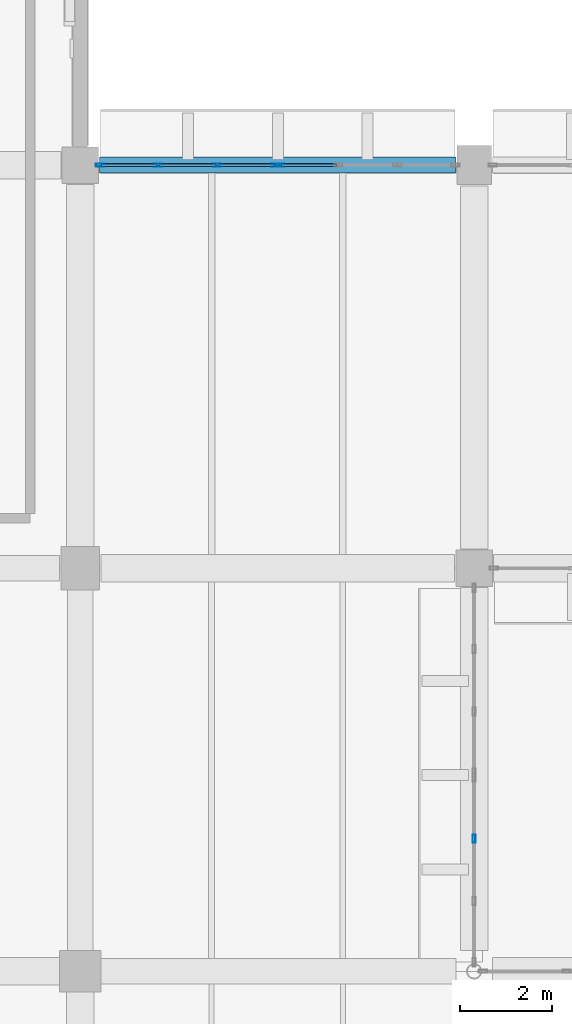
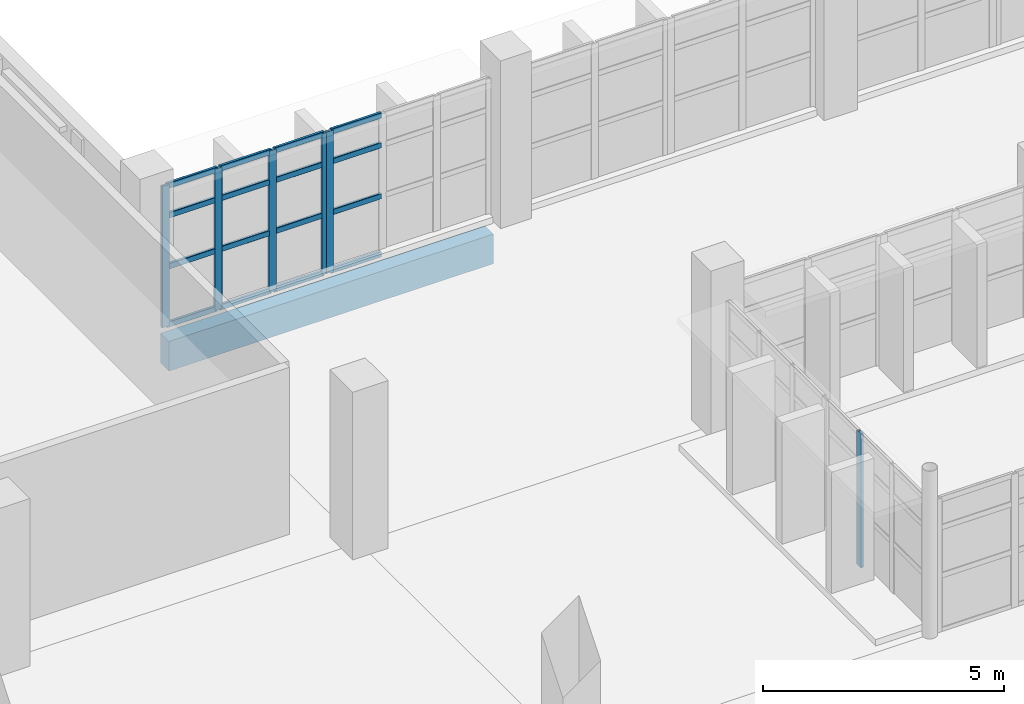
# One storey, part 17 of 76: 22 members, 1 beam, 3 elements without a shape of their own.
"""IFC4 building model written with IfcOpenShell, lengths in metres."""

from ifc_helpers import new_model, si_unit, direction, frame, origin, origin_2d, place, context, subcontext, project, spatial, rectangle, hollow_rectangle, extrude, material, material_profile, profile_set, type_object, element, aggregate, save


model = new_model("IFC4")

# Units and contexts
model_context = context("Model", 3, precision=1e-05, world=origin(), true_north=direction((0.0, 1.0)))
body_context = subcontext(model_context, "Body", "Model", "MODEL_VIEW")
ifc_project = project(units=[si_unit("LENGTHUNIT", "METRE"), si_unit("AREAUNIT", "SQUARE_METRE"), si_unit("VOLUMEUNIT", "CUBIC_METRE"), si_unit("PLANEANGLEUNIT", "RADIAN"), si_unit("MASSUNIT", "GRAM", prefix="KILO")], contexts=[model_context])

# Site, building, storey
site_placement = place(None, origin())
site = spatial("IfcSite", under=ifc_project, at=site_placement, CompositionType="ELEMENT")
building_placement = place(site_placement, origin())
building = spatial("IfcBuilding", under=site, at=building_placement, Name="Varnakota Cinema and Media Centre", CompositionType="ELEMENT")
storey_placement = place(building_placement, origin())
storey = spatial("IfcBuildingStorey", under=building, at=storey_placement, Name="L00", CompositionType="ELEMENT", Elevation=0.0)

# Beam
ifc_material_1 = material(Name="Concrete M40", Category="concrete")
ifc_material_profile_1 = material_profile(ifc_material_1, rectangle(XDim=0.35009765625, YDim=0.75, at=origin_2d()), Name="RCB 350x750")
ifc_profile_set_1 = profile_set([ifc_material_profile_1], Name="Concrete M40")
beam_type = type_object("IfcBeamType", Name="BM-SP-350x750", PredefinedType="SPANDREL", material=ifc_profile_set_1)
beam_placement = place(storey_placement, frame((43.425048828125, 44.0, -0.655029296875), z_axis=(1.0, 0.0, 0.0), x_axis=(0.0, 1.0, 0.0)))
element("IfcBeam", 1, at=beam_placement, inside=storey, type_object=beam_type, Name="L00 girder F-G/6", PredefinedType="SPANDREL", context=body_context, shape_type="SweptSolid", body=[
    extrude(rectangle(XDim=0.35009765625, YDim=0.75, at=origin_2d()), origin(), (0.0, 0.0, 1.0), 7.77490234375),
])

# Curtain wall, members
ifc_material_2 = material(Name="Thermally broken anodised aluminium AW-6063", Category="aluminium")
curtain_wall_type_1 = type_object("IfcCurtainWallType", Name="CW-STD-389x358", PredefinedType="USERDEFINED", material=ifc_material_2)
curtain_wall_1_placement = place(storey_placement, origin())
curtain_wall_1 = element("IfcCurtainWall", 2, at=curtain_wall_1_placement, inside=storey, type_object=curtain_wall_type_1, Name="L00 curtain wall CW-L00-LINK-N-01-1", ObjectType="UNITISED CURTAIN WALL", PredefinedType="USERDEFINED")
ifc_material_3 = material(Name="Thermally broken anodised aluminium AW-6063", Category="aluminium")
ifc_material_profile_2 = material_profile(ifc_material_3, hollow_rectangle(XDim=0.06494140625, YDim=0.179931640625, WallThickness=0.00390625, InnerFilletRadius=0.00390625, OuterFilletRadius=0.008056640625, at=origin_2d()), Name="AL-MULLION 180x65x4")
ifc_profile_set_2 = profile_set([ifc_material_profile_2], Name="Thermally broken anodised aluminium AW-6063")
member_type_1 = type_object("IfcMemberType", Name="CWM-AL-180", PredefinedType="MULLION", material=ifc_profile_set_2)
member_1_placement = place(storey_placement, frame((43.4326171875, 44.0, 0.0), z_axis=(0.0, 0.0, 1.0), x_axis=(0.0, 1.0, 0.0)))
member_1 = element("IfcMember", 3, at=member_1_placement, type_object=member_type_1, Name="CW07 mullion 1", PredefinedType="MULLION", context=body_context, shape_type="SweptSolid", body=[
    extrude(hollow_rectangle(XDim=0.06494140625, YDim=0.179931640625, WallThickness=0.00390625, InnerFilletRadius=0.00390625, OuterFilletRadius=0.008056640625, at=origin_2d()), origin(), (0.0, 0.0, 1.0), 3.5849609375),
])
member_2_placement = place(storey_placement, frame((44.697509765625, 44.0, 0.0), z_axis=(0.0, 0.0, 1.0), x_axis=(0.0, 1.0, 0.0)))
member_2 = element("IfcMember", 4, at=member_2_placement, type_object=member_type_1, Name="CW07 mullion 2", PredefinedType="MULLION", context=body_context, shape_type="SweptSolid", body=[
    extrude(hollow_rectangle(XDim=0.06494140625, YDim=0.179931640625, WallThickness=0.00390625, InnerFilletRadius=0.00390625, OuterFilletRadius=0.008056640625, at=origin_2d()), origin(), (0.0, 0.0, 1.0), 3.5849609375),
])
member_3_placement = place(storey_placement, frame((45.9951171875, 44.0, 0.0), z_axis=(0.0, 0.0, 1.0), x_axis=(0.0, 1.0, 0.0)))
member_3 = element("IfcMember", 5, at=member_3_placement, type_object=member_type_1, Name="CW07 mullion 3", PredefinedType="MULLION", context=body_context, shape_type="SweptSolid", body=[
    extrude(hollow_rectangle(XDim=0.06494140625, YDim=0.179931640625, WallThickness=0.00390625, InnerFilletRadius=0.00390625, OuterFilletRadius=0.008056640625, at=origin_2d()), origin(), (0.0, 0.0, 1.0), 3.5849609375),
])
member_4_placement = place(storey_placement, frame((47.260009765625, 44.0, 0.0), z_axis=(0.0, 0.0, 1.0), x_axis=(0.0, 1.0, 0.0)))
member_4 = element("IfcMember", 6, at=member_4_placement, type_object=member_type_1, Name="CW07 mullion 4", PredefinedType="MULLION", context=body_context, shape_type="SweptSolid", body=[
    extrude(hollow_rectangle(XDim=0.06494140625, YDim=0.179931640625, WallThickness=0.00390625, InnerFilletRadius=0.00390625, OuterFilletRadius=0.008056640625, at=origin_2d()), origin(), (0.0, 0.0, 1.0), 3.5849609375),
])

# Curtain wall, member
curtain_wall_2_placement = place(storey_placement, origin())
curtain_wall_2 = element("IfcCurtainWall", 7, at=curtain_wall_2_placement, inside=storey, type_object=curtain_wall_type_1, Name="L00 curtain wall CW-L00-LINK-N-01-2", ObjectType="UNITISED CURTAIN WALL", PredefinedType="USERDEFINED")
member_5_placement = place(storey_placement, frame((47.364990234375, 44.0, 0.0), z_axis=(0.0, 0.0, 1.0), x_axis=(0.0, 1.0, 0.0)))
member_5 = element("IfcMember", 8, at=member_5_placement, type_object=member_type_1, Name="CW07 mullion 1", PredefinedType="MULLION", context=body_context, shape_type="SweptSolid", body=[
    extrude(hollow_rectangle(XDim=0.06494140625, YDim=0.179931640625, WallThickness=0.00390625, InnerFilletRadius=0.00390625, OuterFilletRadius=0.008056640625, at=origin_2d()), origin(), (0.0, 0.0, 1.0), 3.5849609375),
])

ifc_material_4 = material(Name="Thermally broken anodised aluminium AW-6063", Category="aluminium")
curtain_wall_type_2 = type_object("IfcCurtainWallType", Name="CW-STD-410x338", PredefinedType="USERDEFINED", material=ifc_material_4)
curtain_wall_3_placement = place(storey_placement, origin())
curtain_wall_3 = element("IfcCurtainWall", 9, at=curtain_wall_3_placement, inside=storey, type_object=curtain_wall_type_2, Name="L00 curtain wall CW-L00-WLINK-E-01-1", ObjectType="UNITISED CURTAIN WALL", PredefinedType="USERDEFINED")
member_6_placement = place(storey_placement, frame((51.60009765625, 29.294677734375, 0.0), z_axis=(0.0, 0.0, 1.0), x_axis=(-1.0, 0.0, 0.0)))
member_6 = element("IfcMember", 10, at=member_6_placement, type_object=member_type_1, Name="CW13 mullion 3", PredefinedType="MULLION", context=body_context, shape_type="SweptSolid", body=[
    extrude(hollow_rectangle(XDim=0.06494140625, YDim=0.179931640625, WallThickness=0.00390625, InnerFilletRadius=0.00390625, OuterFilletRadius=0.008056640625, at=origin_2d()), origin(), (0.0, 0.0, 1.0), 3.385009765625),
])
aggregate(curtain_wall_3, [member_6])

# Member
ifc_material_5 = material(Name="Thermally broken anodised aluminium AW-6063", Category="aluminium")
ifc_material_profile_3 = material_profile(ifc_material_5, hollow_rectangle(XDim=0.06494140625, YDim=0.139892578125, WallThickness=0.00390625, InnerFilletRadius=0.00390625, OuterFilletRadius=0.008056640625, at=origin_2d()), Name="AL-TRANSOM 140x65x4")
ifc_profile_set_3 = profile_set([ifc_material_profile_3], Name="Thermally broken anodised aluminium AW-6063")
member_type_2 = type_object("IfcMemberType", Name="CWT-AL-140", PredefinedType="USERDEFINED", material=ifc_profile_set_3)
member_7_placement = place(storey_placement, frame((43.465087890625, 44.0, 0.032470703125), z_axis=(1.0, 0.0, 0.0), x_axis=(0.0, 1.0, 0.0)))
member_7 = element("IfcMember", 11, at=member_7_placement, type_object=member_type_2, Name="CW07 transom 1.1", ObjectType="TRANSOM", PredefinedType="USERDEFINED", context=body_context, shape_type="SweptSolid", body=[
    extrude(hollow_rectangle(XDim=0.06494140625, YDim=0.139892578125, WallThickness=0.00390625, InnerFilletRadius=0.00390625, OuterFilletRadius=0.008056640625, at=origin_2d()), origin(), (0.0, 0.0, 1.0), 1.199951171875),
])

member_8_placement = place(storey_placement, frame((43.465087890625, 44.0, 1.505615234375), z_axis=(1.0, 0.0, 0.0), x_axis=(0.0, 1.0, 0.0)))
member_8 = element("IfcMember", 12, at=member_8_placement, type_object=member_type_2, Name="CW07 transom 1.2", ObjectType="TRANSOM", PredefinedType="USERDEFINED", context=body_context, shape_type="SweptSolid", body=[
    extrude(hollow_rectangle(XDim=0.06494140625, YDim=0.139892578125, WallThickness=0.00390625, InnerFilletRadius=0.00390625, OuterFilletRadius=0.008056640625, at=origin_2d()), origin(), (0.0, 0.0, 1.0), 1.199951171875),
])

member_9_placement = place(storey_placement, frame((43.465087890625, 44.0, 2.79638671875), z_axis=(1.0, 0.0, 0.0), x_axis=(0.0, 1.0, 0.0)))
member_9 = element("IfcMember", 13, at=member_9_placement, type_object=member_type_2, Name="CW07 transom 1.3", ObjectType="TRANSOM", PredefinedType="USERDEFINED", context=body_context, shape_type="SweptSolid", body=[
    extrude(hollow_rectangle(XDim=0.06494140625, YDim=0.139892578125, WallThickness=0.00390625, InnerFilletRadius=0.00390625, OuterFilletRadius=0.008056640625, at=origin_2d()), origin(), (0.0, 0.0, 1.0), 1.199951171875),
])

member_10_placement = place(storey_placement, frame((43.465087890625, 44.0, 3.552490234375), z_axis=(1.0, 0.0, 0.0), x_axis=(0.0, 1.0, 0.0)))
member_10 = element("IfcMember", 14, at=member_10_placement, type_object=member_type_2, Name="CW07 transom 1.4", ObjectType="TRANSOM", PredefinedType="USERDEFINED", context=body_context, shape_type="SweptSolid", body=[
    extrude(hollow_rectangle(XDim=0.06494140625, YDim=0.139892578125, WallThickness=0.00390625, InnerFilletRadius=0.00390625, OuterFilletRadius=0.008056640625, at=origin_2d()), origin(), (0.0, 0.0, 1.0), 1.199951171875),
])

member_11_placement = place(storey_placement, frame((44.72998046875, 44.0, 0.032470703125), z_axis=(1.0, 0.0, 0.0), x_axis=(0.0, 1.0, 0.0)))
member_11 = element("IfcMember", 15, at=member_11_placement, type_object=member_type_2, Name="CW07 transom 2.1", ObjectType="TRANSOM", PredefinedType="USERDEFINED", context=body_context, shape_type="SweptSolid", body=[
    extrude(hollow_rectangle(XDim=0.06494140625, YDim=0.139892578125, WallThickness=0.00390625, InnerFilletRadius=0.00390625, OuterFilletRadius=0.008056640625, at=origin_2d()), origin(), (0.0, 0.0, 1.0), 1.232421875),
])

member_12_placement = place(storey_placement, frame((44.72998046875, 44.0, 1.505615234375), z_axis=(1.0, 0.0, 0.0), x_axis=(0.0, 1.0, 0.0)))
member_12 = element("IfcMember", 16, at=member_12_placement, type_object=member_type_2, Name="CW07 transom 2.2", ObjectType="TRANSOM", PredefinedType="USERDEFINED", context=body_context, shape_type="SweptSolid", body=[
    extrude(hollow_rectangle(XDim=0.06494140625, YDim=0.139892578125, WallThickness=0.00390625, InnerFilletRadius=0.00390625, OuterFilletRadius=0.008056640625, at=origin_2d()), origin(), (0.0, 0.0, 1.0), 1.232421875),
])

member_13_placement = place(storey_placement, frame((44.72998046875, 44.0, 2.79638671875), z_axis=(1.0, 0.0, 0.0), x_axis=(0.0, 1.0, 0.0)))
member_13 = element("IfcMember", 17, at=member_13_placement, type_object=member_type_2, Name="CW07 transom 2.3", ObjectType="TRANSOM", PredefinedType="USERDEFINED", context=body_context, shape_type="SweptSolid", body=[
    extrude(hollow_rectangle(XDim=0.06494140625, YDim=0.139892578125, WallThickness=0.00390625, InnerFilletRadius=0.00390625, OuterFilletRadius=0.008056640625, at=origin_2d()), origin(), (0.0, 0.0, 1.0), 1.232421875),
])

member_14_placement = place(storey_placement, frame((44.72998046875, 44.0, 3.552490234375), z_axis=(1.0, 0.0, 0.0), x_axis=(0.0, 1.0, 0.0)))
member_14 = element("IfcMember", 18, at=member_14_placement, type_object=member_type_2, Name="CW07 transom 2.4", ObjectType="TRANSOM", PredefinedType="USERDEFINED", context=body_context, shape_type="SweptSolid", body=[
    extrude(hollow_rectangle(XDim=0.06494140625, YDim=0.139892578125, WallThickness=0.00390625, InnerFilletRadius=0.00390625, OuterFilletRadius=0.008056640625, at=origin_2d()), origin(), (0.0, 0.0, 1.0), 1.232421875),
])

member_15_placement = place(storey_placement, frame((46.027587890625, 44.0, 0.032470703125), z_axis=(1.0, 0.0, 0.0), x_axis=(0.0, 1.0, 0.0)))
member_15 = element("IfcMember", 19, at=member_15_placement, type_object=member_type_2, Name="CW07 transom 3.1", ObjectType="TRANSOM", PredefinedType="USERDEFINED", context=body_context, shape_type="SweptSolid", body=[
    extrude(hollow_rectangle(XDim=0.06494140625, YDim=0.139892578125, WallThickness=0.00390625, InnerFilletRadius=0.00390625, OuterFilletRadius=0.008056640625, at=origin_2d()), origin(), (0.0, 0.0, 1.0), 1.199951171875),
])

member_16_placement = place(storey_placement, frame((46.027587890625, 44.0, 1.505615234375), z_axis=(1.0, 0.0, 0.0), x_axis=(0.0, 1.0, 0.0)))
member_16 = element("IfcMember", 20, at=member_16_placement, type_object=member_type_2, Name="CW07 transom 3.2", ObjectType="TRANSOM", PredefinedType="USERDEFINED", context=body_context, shape_type="SweptSolid", body=[
    extrude(hollow_rectangle(XDim=0.06494140625, YDim=0.139892578125, WallThickness=0.00390625, InnerFilletRadius=0.00390625, OuterFilletRadius=0.008056640625, at=origin_2d()), origin(), (0.0, 0.0, 1.0), 1.199951171875),
])

member_17_placement = place(storey_placement, frame((46.027587890625, 44.0, 2.79638671875), z_axis=(1.0, 0.0, 0.0), x_axis=(0.0, 1.0, 0.0)))
member_17 = element("IfcMember", 21, at=member_17_placement, type_object=member_type_2, Name="CW07 transom 3.3", ObjectType="TRANSOM", PredefinedType="USERDEFINED", context=body_context, shape_type="SweptSolid", body=[
    extrude(hollow_rectangle(XDim=0.06494140625, YDim=0.139892578125, WallThickness=0.00390625, InnerFilletRadius=0.00390625, OuterFilletRadius=0.008056640625, at=origin_2d()), origin(), (0.0, 0.0, 1.0), 1.199951171875),
])

member_18_placement = place(storey_placement, frame((46.027587890625, 44.0, 3.552490234375), z_axis=(1.0, 0.0, 0.0), x_axis=(0.0, 1.0, 0.0)))
member_18 = element("IfcMember", 22, at=member_18_placement, type_object=member_type_2, Name="CW07 transom 3.4", ObjectType="TRANSOM", PredefinedType="USERDEFINED", context=body_context, shape_type="SweptSolid", body=[
    extrude(hollow_rectangle(XDim=0.06494140625, YDim=0.139892578125, WallThickness=0.00390625, InnerFilletRadius=0.00390625, OuterFilletRadius=0.008056640625, at=origin_2d()), origin(), (0.0, 0.0, 1.0), 1.199951171875),
])

aggregate(curtain_wall_1, [member_1, member_2, member_3, member_4, member_7, member_8, member_9, member_10, member_11, member_12, member_13, member_14, member_15, member_16, member_17, member_18])

member_19_placement = place(storey_placement, frame((47.3974609375, 44.0, 0.032470703125), z_axis=(1.0, 0.0, 0.0), x_axis=(0.0, 1.0, 0.0)))
member_19 = element("IfcMember", 23, at=member_19_placement, type_object=member_type_2, Name="CW07 transom 1.1", ObjectType="TRANSOM", PredefinedType="USERDEFINED", context=body_context, shape_type="SweptSolid", body=[
    extrude(hollow_rectangle(XDim=0.06494140625, YDim=0.139892578125, WallThickness=0.00390625, InnerFilletRadius=0.00390625, OuterFilletRadius=0.008056640625, at=origin_2d()), origin(), (0.0, 0.0, 1.0), 1.199951171875),
])

member_20_placement = place(storey_placement, frame((47.3974609375, 44.0, 1.505615234375), z_axis=(1.0, 0.0, 0.0), x_axis=(0.0, 1.0, 0.0)))
member_20 = element("IfcMember", 24, at=member_20_placement, type_object=member_type_2, Name="CW07 transom 1.2", ObjectType="TRANSOM", PredefinedType="USERDEFINED", context=body_context, shape_type="SweptSolid", body=[
    extrude(hollow_rectangle(XDim=0.06494140625, YDim=0.139892578125, WallThickness=0.00390625, InnerFilletRadius=0.00390625, OuterFilletRadius=0.008056640625, at=origin_2d()), origin(), (0.0, 0.0, 1.0), 1.199951171875),
])

member_21_placement = place(storey_placement, frame((47.3974609375, 44.0, 2.79638671875), z_axis=(1.0, 0.0, 0.0), x_axis=(0.0, 1.0, 0.0)))
member_21 = element("IfcMember", 25, at=member_21_placement, type_object=member_type_2, Name="CW07 transom 1.3", ObjectType="TRANSOM", PredefinedType="USERDEFINED", context=body_context, shape_type="SweptSolid", body=[
    extrude(hollow_rectangle(XDim=0.06494140625, YDim=0.139892578125, WallThickness=0.00390625, InnerFilletRadius=0.00390625, OuterFilletRadius=0.008056640625, at=origin_2d()), origin(), (0.0, 0.0, 1.0), 1.199951171875),
])

member_22_placement = place(storey_placement, frame((47.3974609375, 44.0, 3.552490234375), z_axis=(1.0, 0.0, 0.0), x_axis=(0.0, 1.0, 0.0)))
member_22 = element("IfcMember", 26, at=member_22_placement, type_object=member_type_2, Name="CW07 transom 1.4", ObjectType="TRANSOM", PredefinedType="USERDEFINED", context=body_context, shape_type="SweptSolid", body=[
    extrude(hollow_rectangle(XDim=0.06494140625, YDim=0.139892578125, WallThickness=0.00390625, InnerFilletRadius=0.00390625, OuterFilletRadius=0.008056640625, at=origin_2d()), origin(), (0.0, 0.0, 1.0), 1.199951171875),
])

aggregate(curtain_wall_2, [member_5, member_19, member_20, member_21, member_22])

save(model, "model.ifc")
